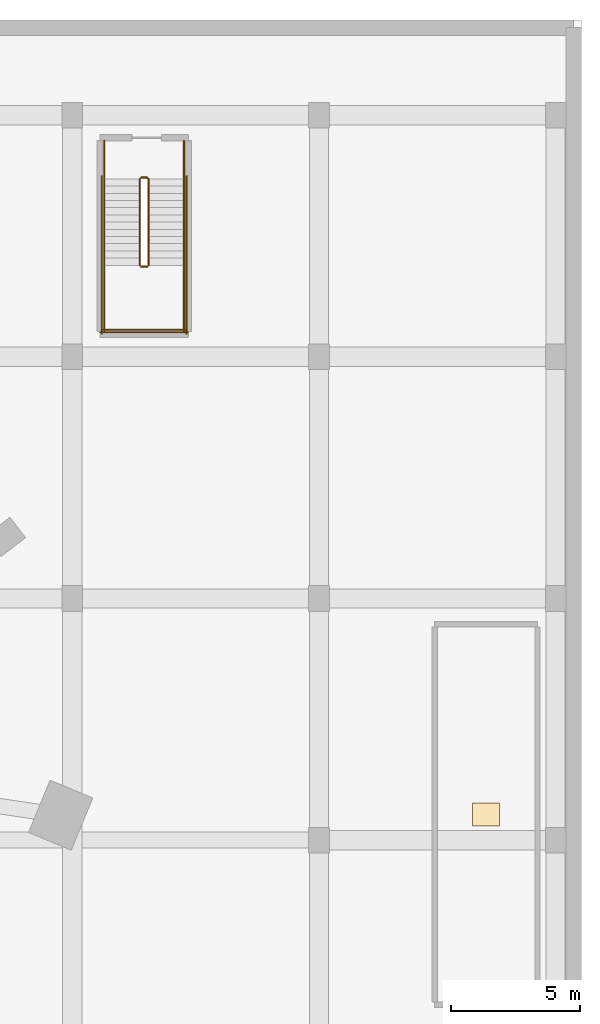
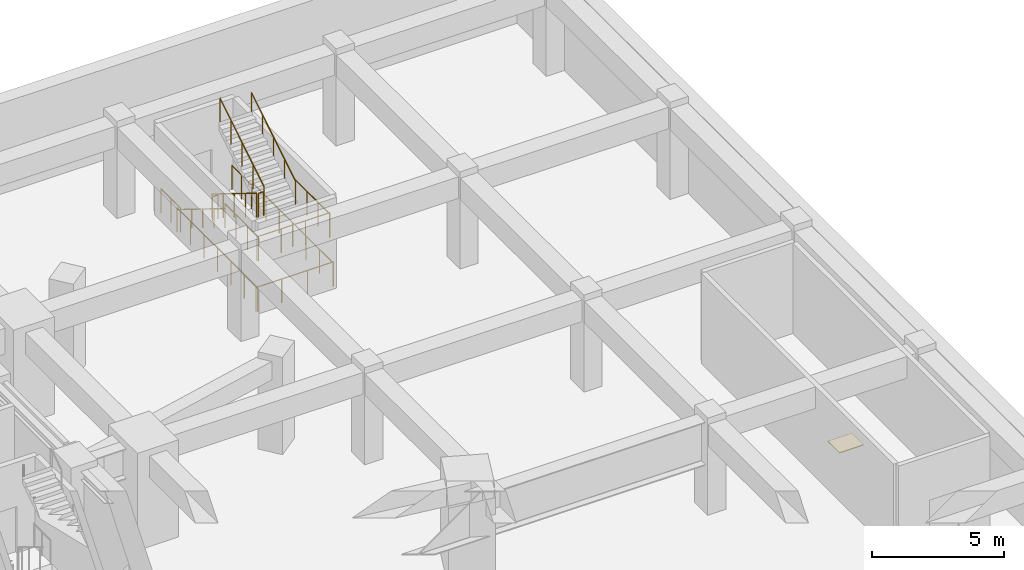
# One storey, part 8 of 9: 14 railings, 1 covering.
"""IFC4 building model written with IfcOpenShell, lengths in metres."""

from ifc_helpers import new_model, si_unit, direction, frame, origin, origin_2d, place, context, subcontext, project, spatial, rectangle, circle, extrude, material, layer, layer_set, type_object, element, save


model = new_model("IFC4")

# Units and contexts
model_context = context("Model", 3, precision=1e-05, world=origin(), true_north=direction((0.0, 1.0)))
body_context = subcontext(model_context, "Body", "Model", "MODEL_VIEW")
ifc_project = project(units=[si_unit("LENGTHUNIT", "METRE"), si_unit("AREAUNIT", "SQUARE_METRE"), si_unit("VOLUMEUNIT", "CUBIC_METRE"), si_unit("PLANEANGLEUNIT", "RADIAN"), si_unit("MASSUNIT", "GRAM", prefix="KILO")], contexts=[model_context])

# Site, building, storey
site_placement = place(None, origin())
site = spatial("IfcSite", under=ifc_project, at=site_placement, CompositionType="ELEMENT")
building_placement = place(site_placement, origin())
building = spatial("IfcBuilding", under=site, at=building_placement, Name="Ndelora Gate Hotel", CompositionType="ELEMENT")
storey_placement = place(building_placement, frame((0.0, 0.0, -9.0)))
storey = spatial("IfcBuildingStorey", under=building, at=storey_placement, Name="B02", CompositionType="ELEMENT", Elevation=-9.0)

# Covering
ifc_material_1 = material(Name="Engineered Highland Oak Parquet", Category="wood")
ifc_layer_1 = layer(ifc_material_1, 0.030029296875)
ifc_layer_set_1 = layer_set([ifc_layer_1], Name="Engineered Highland Oak Parquet")
covering_type = type_object("IfcCoveringType", Name="COV-FLR-PARQ", PredefinedType="FLOORING", material=ifc_layer_set_1)
covering_placement = place(storey_placement, frame((36.89990234375, -8.39990234375, 0.0), z_axis=(0.0, 0.0, 1.0), x_axis=(1.0, 0.0, 0.0)))
element("IfcCovering", 1, at=covering_placement, inside=storey, type_object=covering_type, Name="B02 Staff Lockers and Uniform Store Oak Parquet Flooring", PredefinedType="FLOORING", context=body_context, shape_type="SweptSolid", body=[
    extrude(rectangle(XDim=1.050048828125, YDim=0.89990234375, at=origin_2d()), origin(), (0.0, 0.0, 1.0), 0.030029296875),
])

# Railings
ifc_material_2 = material(Name="Painted Galvanized Steel Balustrade", Category="steel")
ifc_layer_2 = layer(ifc_material_2, 0.06005859375)
ifc_layer_set_2 = layer_set([ifc_layer_2], Name="Painted Galvanized Steel Balustrade")
railing_type_1 = type_object("IfcRailingType", Name="RL-STAIR-GD", PredefinedType="GUARDRAIL", material=ifc_layer_set_2)
railing_1_placement = place(storey_placement, frame((23.429931640625, 16.320068359375, 0.173095703125)))
element("IfcRailing", 2, at=railing_1_placement, inside=storey, type_object=railing_type_1, Name="B02 ST2 stair guard 1", PredefinedType="GUARDRAIL", context=body_context, shape_type="SweptSolid", body=[
    extrude(circle(Radius=0.02392578125, at=origin_2d()), frame((0.0, 0.0, 1.10595703125), z_axis=(0.0, -0.850623216509, 0.525775754039), x_axis=(1.0, 0.0, 0.0)), (0.0, 0.0, 1.0), 3.9501953125),
    extrude(circle(Radius=0.02099609375, at=origin_2d()), origin(), (0.0, 0.0, 1.0), 1.081787109375),
    extrude(circle(Radius=0.02099609375, at=origin_2d()), frame((0.0, -0.840087890625, 0.519287109375)), (0.0, 0.0, 1.0), 1.081787109375),
    extrude(circle(Radius=0.02099609375, at=origin_2d()), frame((0.0, -1.68017578125, 1.03857421875)), (0.0, 0.0, 1.0), 1.081787109375),
    extrude(circle(Radius=0.02099609375, at=origin_2d()), frame((0.0, -2.52001953125, 1.5576171875)), (0.0, 0.0, 1.0), 1.081787109375),
    extrude(circle(Radius=0.02099609375, at=origin_2d()), frame((0.0, -3.360107421875, 2.076904296875)), (0.0, 0.0, 1.0), 1.081787109375),
])
railing_2_placement = place(storey_placement, frame((23.47998046875, 12.909912109375, 2.25)))
element("IfcRailing", 3, at=railing_2_placement, inside=storey, type_object=railing_type_1, Name="B02 ST2 stair guard 2", PredefinedType="GUARDRAIL", context=body_context, shape_type="SweptSolid", body=[
    extrude(circle(Radius=0.02392578125, at=origin_2d()), frame((0.0, 0.0, 1.10595703125), z_axis=(1.0, 0.0, 0.0), x_axis=(0.0, 1.0, 0.0)), (0.0, 0.0, 1.0), 0.239990234375),
    extrude(circle(Radius=0.02099609375, at=origin_2d()), origin(), (0.0, 0.0, 1.0), 1.081787109375),
    extrude(circle(Radius=0.02099609375, at=origin_2d()), frame((0.239990234375, 0.0, 0.0)), (0.0, 0.0, 1.0), 1.081787109375),
])
for number, where, name in (
    (4, (22.050048828125, 12.9599609375, 2.25), "B02 ST2 stair guard 3"),
    (5, (25.14990234375, 12.9599609375, 2.25), "B02 ST2 stair guard 4"),
):
    element("IfcRailing", number, at=place(storey_placement, frame(where)), inside=storey, type_object=railing_type_1, Name=name, PredefinedType="GUARDRAIL", context=body_context, shape_type="SweptSolid", body=[
        extrude(circle(Radius=0.02392578125, at=origin_2d()), frame((0.0, 0.0, 1.10595703125), z_axis=(0.0, -1.0, 0.0), x_axis=(1.0, 0.0, 0.0)), (0.0, 0.0, 1.0), 2.56005859375),
        extrude(circle(Radius=0.02099609375, at=origin_2d()), origin(), (0.0, 0.0, 1.0), 1.081787109375),
        extrude(circle(Radius=0.02099609375, at=origin_2d()), frame((0.0, -0.853271484375, 0.0)), (0.0, 0.0, 1.0), 1.081787109375),
        extrude(circle(Radius=0.02099609375, at=origin_2d()), frame((0.0, -1.706787109375, 0.0)), (0.0, 0.0, 1.0), 1.081787109375),
        extrude(circle(Radius=0.02099609375, at=origin_2d()), frame((0.0, -2.56005859375, 0.0)), (0.0, 0.0, 1.0), 1.081787109375),
    ])
railing_3_placement = place(storey_placement, frame((22.0, 10.449951171875, 2.25)))
element("IfcRailing", 6, at=railing_3_placement, inside=storey, type_object=railing_type_1, Name="B02 ST2 stair guard 5", PredefinedType="GUARDRAIL", context=body_context, shape_type="SweptSolid", body=[
    extrude(circle(Radius=0.02392578125, at=origin_2d()), frame((0.0, 0.0, 1.10595703125), z_axis=(1.0, 0.0, 0.0), x_axis=(0.0, 1.0, 0.0)), (0.0, 0.0, 1.0), 3.199951171875),
    extrude(circle(Radius=0.02099609375, at=origin_2d()), origin(), (0.0, 0.0, 1.0), 1.081787109375),
    extrude(circle(Radius=0.02099609375, at=origin_2d()), frame((1.066650390625, 0.0, 0.0)), (0.0, 0.0, 1.0), 1.081787109375),
    extrude(circle(Radius=0.02099609375, at=origin_2d()), frame((2.13330078125, 0.0, 0.0)), (0.0, 0.0, 1.0), 1.081787109375),
    extrude(circle(Radius=0.02099609375, at=origin_2d()), frame((3.199951171875, 0.0, 0.0)), (0.0, 0.0, 1.0), 1.081787109375),
])
railing_4_placement = place(storey_placement, frame((23.77001953125, 12.9599609375, 2.423095703125)))
element("IfcRailing", 7, at=railing_4_placement, inside=storey, type_object=railing_type_1, Name="B02 ST2 stair guard 6", PredefinedType="GUARDRAIL", context=body_context, shape_type="SweptSolid", body=[
    extrude(circle(Radius=0.02392578125, at=origin_2d()), frame((0.0, 0.0, 1.10595703125), z_axis=(0.0, 0.850623216509, 0.525775754039), x_axis=(-1.0, 0.0, 0.0)), (0.0, 0.0, 1.0), 3.9501953125),
    extrude(circle(Radius=0.02099609375, at=origin_2d()), origin(), (0.0, 0.0, 1.0), 1.081787109375),
    extrude(circle(Radius=0.02099609375, at=origin_2d()), frame((0.0, 0.840087890625, 0.519287109375)), (0.0, 0.0, 1.0), 1.081787109375),
    extrude(circle(Radius=0.02099609375, at=origin_2d()), frame((0.0, 1.68017578125, 1.03857421875)), (0.0, 0.0, 1.0), 1.081787109375),
    extrude(circle(Radius=0.02099609375, at=origin_2d()), frame((0.0, 2.52001953125, 1.5576171875)), (0.0, 0.0, 1.0), 1.081787109375),
    extrude(circle(Radius=0.02099609375, at=origin_2d()), frame((0.0, 3.360107421875, 2.076904296875)), (0.0, 0.0, 1.0), 1.081787109375),
])
railing_5_placement = place(storey_placement, frame((23.47998046875, 16.3701171875, 0.0)))
element("IfcRailing", 8, at=railing_5_placement, inside=storey, type_object=railing_type_1, Name="B02 ST2 stair guard 7", PredefinedType="GUARDRAIL", context=body_context, shape_type="SweptSolid", body=[
    extrude(circle(Radius=0.02392578125, at=origin_2d()), frame((0.0, 0.0, 1.10595703125), z_axis=(1.0, 0.0, 0.0), x_axis=(0.0, 1.0, 0.0)), (0.0, 0.0, 1.0), 0.239990234375),
    extrude(circle(Radius=0.02099609375, at=origin_2d()), origin(), (0.0, 0.0, 1.0), 1.081787109375),
    extrude(circle(Radius=0.02099609375, at=origin_2d()), frame((0.239990234375, 0.0, 0.0)), (0.0, 0.0, 1.0), 1.081787109375),
])
for number, where, name in (
    (9, (22.050048828125, 17.800048828125, 0.0), "B02 ST2 stair guard 8"),
    (10, (25.14990234375, 17.800048828125, 0.0), "B02 ST2 stair guard 9"),
):
    element("IfcRailing", number, at=place(storey_placement, frame(where)), inside=storey, type_object=railing_type_1, Name=name, PredefinedType="GUARDRAIL", context=body_context, shape_type="SweptSolid", body=[
        extrude(circle(Radius=0.02392578125, at=origin_2d()), frame((0.0, 0.0, 1.10595703125), z_axis=(0.0, -1.0, 0.0), x_axis=(1.0, 0.0, 0.0)), (0.0, 0.0, 1.0), 1.47998046875),
        extrude(circle(Radius=0.02099609375, at=origin_2d()), origin(), (0.0, 0.0, 1.0), 1.081787109375),
        extrude(circle(Radius=0.02099609375, at=origin_2d()), frame((0.0, -0.739990234375, 0.0)), (0.0, 0.0, 1.0), 1.081787109375),
        extrude(circle(Radius=0.02099609375, at=origin_2d()), frame((0.0, -1.47998046875, 0.0)), (0.0, 0.0, 1.0), 1.081787109375),
    ])
for number, where, name in (
    (11, (21.949951171875, 16.419921875, 0.0), "B02 ST2 stair guard 10"),
    (12, (25.25, 16.419921875, 0.0), "B02 ST2 stair guard 11"),
):
    element("IfcRailing", number, at=place(storey_placement, frame(where)), inside=storey, type_object=railing_type_1, Name=name, PredefinedType="GUARDRAIL", context=body_context, shape_type="SweptSolid", body=[
        extrude(circle(Radius=0.02392578125, at=origin_2d()), frame((0.0, 0.0, 1.10595703125), z_axis=(0.0, -1.0, 0.0), x_axis=(1.0, 0.0, 0.0)), (0.0, 0.0, 1.0), 6.119873046875),
        extrude(circle(Radius=0.02099609375, at=origin_2d()), origin(), (0.0, 0.0, 1.0), 1.081787109375),
        extrude(circle(Radius=0.02099609375, at=origin_2d()), frame((0.0, -1.02001953125, 0.0)), (0.0, 0.0, 1.0), 1.081787109375),
        extrude(circle(Radius=0.02099609375, at=origin_2d()), frame((0.0, -2.0400390625, 0.0)), (0.0, 0.0, 1.0), 1.081787109375),
        extrude(circle(Radius=0.02099609375, at=origin_2d()), frame((0.0, -3.06005859375, 0.0)), (0.0, 0.0, 1.0), 1.081787109375),
        extrude(circle(Radius=0.02099609375, at=origin_2d()), frame((0.0, -4.079833984375, 0.0)), (0.0, 0.0, 1.0), 1.081787109375),
        extrude(circle(Radius=0.02099609375, at=origin_2d()), frame((0.0, -5.099853515625, 0.0)), (0.0, 0.0, 1.0), 1.081787109375),
        extrude(circle(Radius=0.02099609375, at=origin_2d()), frame((0.0, -6.119873046875, 0.0)), (0.0, 0.0, 1.0), 1.081787109375),
    ])
railing_6_placement = place(storey_placement, frame((21.89990234375, 10.35009765625, 0.0)))
element("IfcRailing", 13, at=railing_6_placement, inside=storey, type_object=railing_type_1, Name="B02 ST2 stair guard 12", PredefinedType="GUARDRAIL", context=body_context, shape_type="SweptSolid", body=[
    extrude(circle(Radius=0.02392578125, at=origin_2d()), frame((0.0, 0.0, 1.10595703125), z_axis=(1.0, 0.0, 0.0), x_axis=(0.0, 1.0, 0.0)), (0.0, 0.0, 1.0), 3.400146484375),
    extrude(circle(Radius=0.02099609375, at=origin_2d()), origin(), (0.0, 0.0, 1.0), 1.081787109375),
    extrude(circle(Radius=0.02099609375, at=origin_2d()), frame((1.13330078125, 0.0, 0.0)), (0.0, 0.0, 1.0), 1.081787109375),
    extrude(circle(Radius=0.02099609375, at=origin_2d()), frame((2.266845703125, 0.0, 0.0)), (0.0, 0.0, 1.0), 1.081787109375),
    extrude(circle(Radius=0.02099609375, at=origin_2d()), frame((3.400146484375, 0.0, 0.0)), (0.0, 0.0, 1.0), 1.081787109375),
])
ifc_material_3 = material(Name="Brushed Stainless Steel 316", Category="steel")
ifc_layer_3 = layer(ifc_material_3, 0.050048828125)
ifc_layer_set_3 = layer_set([ifc_layer_3], Name="Brushed Stainless Steel 316")
railing_type_2 = type_object("IfcRailingType", Name="RL-STAIR-HR", PredefinedType="HANDRAIL", material=ifc_layer_set_3)
railing_7_placement = place(storey_placement, frame((22.050048828125, 16.320068359375, 0.173095703125)))
element("IfcRailing", 14, at=railing_7_placement, inside=storey, type_object=railing_type_2, Name="B02 ST2 stair handrail 1", PredefinedType="HANDRAIL", context=body_context, shape_type="SweptSolid", body=[
    extrude(circle(Radius=0.02392578125, at=origin_2d()), frame((0.0, 0.0, 0.8759765625), z_axis=(0.0, -0.850623216509, 0.525775754039), x_axis=(1.0, 0.0, 0.0)), (0.0, 0.0, 1.0), 3.9501953125),
    extrude(circle(Radius=0.02099609375, at=origin_2d()), origin(), (0.0, 0.0, 1.0), 0.851806640625),
    extrude(circle(Radius=0.02099609375, at=origin_2d()), frame((0.0, -0.840087890625, 0.519287109375)), (0.0, 0.0, 1.0), 0.851806640625),
    extrude(circle(Radius=0.02099609375, at=origin_2d()), frame((0.0, -1.68017578125, 1.03857421875)), (0.0, 0.0, 1.0), 0.851806640625),
    extrude(circle(Radius=0.02099609375, at=origin_2d()), frame((0.0, -2.52001953125, 1.5576171875)), (0.0, 0.0, 1.0), 0.851806640625),
    extrude(circle(Radius=0.02099609375, at=origin_2d()), frame((0.0, -3.360107421875, 2.076904296875)), (0.0, 0.0, 1.0), 0.851806640625),
])
railing_8_placement = place(storey_placement, frame((25.14990234375, 12.9599609375, 2.423095703125)))
element("IfcRailing", 15, at=railing_8_placement, inside=storey, type_object=railing_type_2, Name="B02 ST2 stair handrail 2", PredefinedType="HANDRAIL", context=body_context, shape_type="SweptSolid", body=[
    extrude(circle(Radius=0.02392578125, at=origin_2d()), frame((0.0, 0.0, 0.8759765625), z_axis=(0.0, 0.850623216509, 0.525775754039), x_axis=(-1.0, 0.0, 0.0)), (0.0, 0.0, 1.0), 3.9501953125),
    extrude(circle(Radius=0.02099609375, at=origin_2d()), origin(), (0.0, 0.0, 1.0), 0.851806640625),
    extrude(circle(Radius=0.02099609375, at=origin_2d()), frame((0.0, 0.840087890625, 0.519287109375)), (0.0, 0.0, 1.0), 0.851806640625),
    extrude(circle(Radius=0.02099609375, at=origin_2d()), frame((0.0, 1.68017578125, 1.03857421875)), (0.0, 0.0, 1.0), 0.851806640625),
    extrude(circle(Radius=0.02099609375, at=origin_2d()), frame((0.0, 2.52001953125, 1.5576171875)), (0.0, 0.0, 1.0), 0.851806640625),
    extrude(circle(Radius=0.02099609375, at=origin_2d()), frame((0.0, 3.360107421875, 2.076904296875)), (0.0, 0.0, 1.0), 0.851806640625),
])

save(model, "model.ifc")
